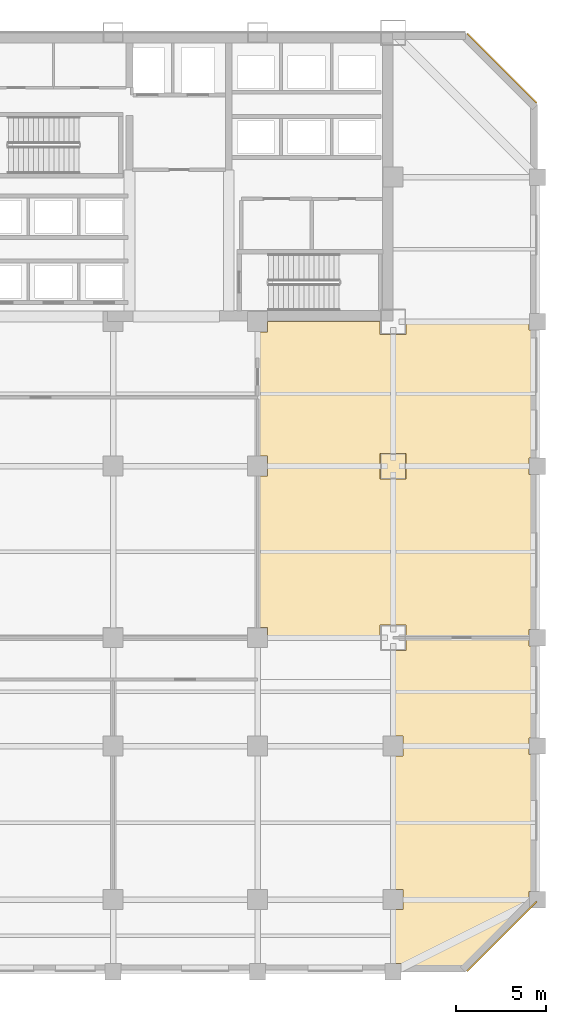
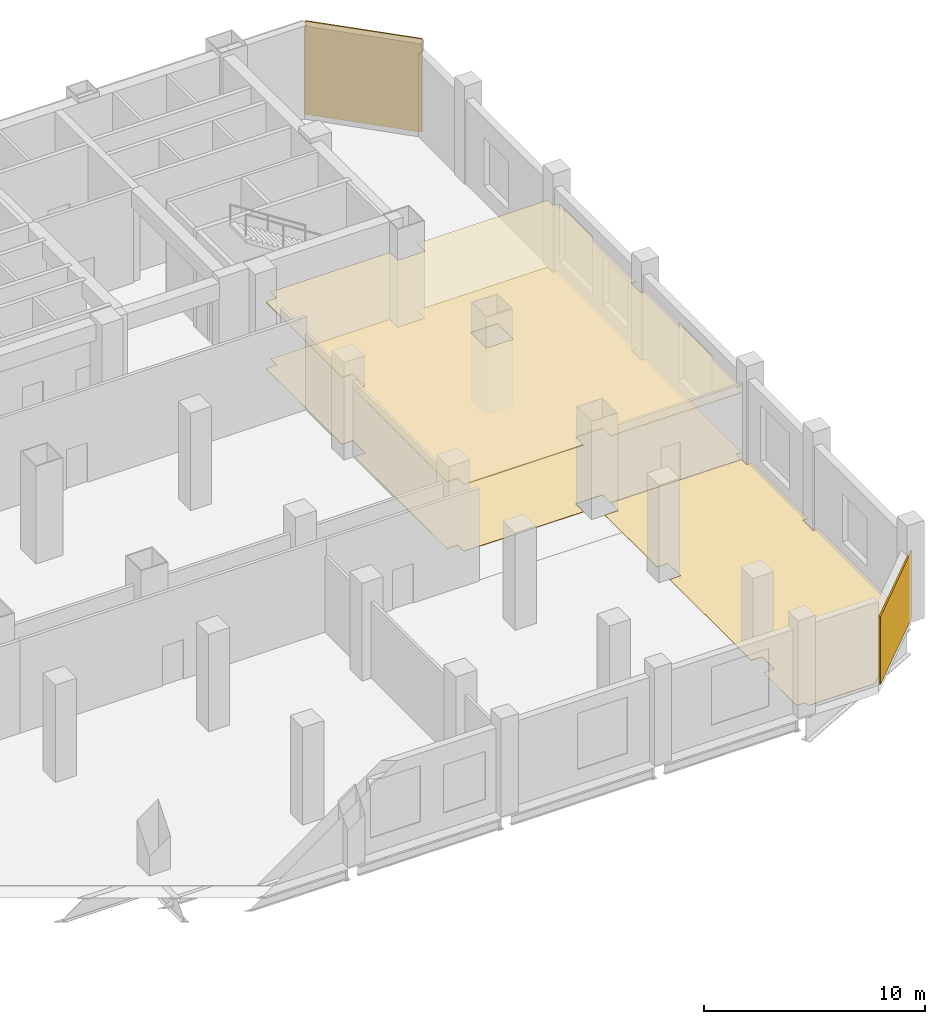
# One storey, part 10 of 10: 5 coverings.
"""IFC4 building model written with IfcOpenShell, lengths in metres."""

import ifcopenshell
import ifcopenshell.guid

model = None  # the IFC model being written
_history = None  # IfcOwnerHistory: only IFC2X3 demands one
_inside = {}  # id of a spatial element -> (the spatial element, [elements in it])
_under = {}  # id of a project, library or spatial element -> (it, [spatial elements below it])
_declared = {}  # id of a project -> (the project, [libraries it declares])
_typed = {}  # id of a type object -> (the type object, [elements of that type])
_made_of = {}  # id of a material, layer set ... -> (it, [elements and type objects made of it])


def new_model(schema):
    """Start an empty IFC model of exactly this schema.

    Asked for "IFC4X3", IfcOpenShell would pick the latest addendum, in which some entities
    have other attributes; the version numbers below select the first issue.
    IFC2X3 requires an IfcOwnerHistory on every rooted entity: one is made here for all.
    """
    global model, _history
    if schema == "IFC4X3":
        model = ifcopenshell.file(schema_version=(4, 3, 0, 0))
    else:
        model = ifcopenshell.file(schema=schema)
    _inside.clear()
    _under.clear()
    _declared.clear()
    _typed.clear()
    _made_of.clear()
    _history = None
    if model.schema == "IFC2X3":
        org = make("IfcOrganization", Name="unknown")
        user = make(
            "IfcPersonAndOrganization",
            ThePerson=make("IfcPerson", FamilyName="unknown"),
            TheOrganization=org,
        )
        app = make(
            "IfcApplication",
            ApplicationDeveloper=org,
            Version="unknown",
            ApplicationFullName="unknown",
            ApplicationIdentifier="unknown",
        )
        _history = make(
            "IfcOwnerHistory",
            OwningUser=user,
            OwningApplication=app,
            ChangeAction="ADDED",
            CreationDate=0,
        )
    return model


def make(cls, **values):
    """One entity of the class cls with the attributes given. An attribute that is None is left unset."""
    return model.create_entity(
        cls, **{name: value for name, value in values.items() if value is not None}
    )


def rooted(cls, **values):
    """An entity with a GlobalId (a new one), such as an element, a storey or a relation."""
    return make(cls, GlobalId=ifcopenshell.guid.new(), OwnerHistory=_history, **values)


def si_unit(unit_type, name, prefix=None):
    """IfcSIUnit, for example si_unit("LENGTHUNIT", "METRE", prefix="MILLI")."""
    return make("IfcSIUnit", UnitType=unit_type, Prefix=prefix, Name=name)


def assignment(units):
    """IfcUnitAssignment: the units of a project."""
    return None if units is None else make("IfcUnitAssignment", Units=units)


def point(xyz):
    """IfcCartesianPoint."""
    return None if xyz is None else make("IfcCartesianPoint", Coordinates=xyz)


def direction(xyz):
    """IfcDirection."""
    return None if xyz is None else make("IfcDirection", DirectionRatios=xyz)


def frame(location, z_axis=None, x_axis=None):
    """IfcAxis2Placement3D, a coordinate frame: its origin and axes. An axis left out is left unset."""
    return make(
        "IfcAxis2Placement3D",
        Location=point(location),
        Axis=direction(z_axis),
        RefDirection=direction(x_axis),
    )


def frame_2d(location, x_axis=None):
    """IfcAxis2Placement2D, a coordinate frame in the plane: its origin and x axis."""
    return make(
        "IfcAxis2Placement2D", Location=point(location), RefDirection=direction(x_axis)
    )


def origin():
    """The frame at (0, 0, 0) with its axes left unset."""
    return frame((0.0, 0.0, 0.0))


def origin_2d():
    """The frame at (0, 0) in the plane with its x axis left unset."""
    return frame_2d((0.0, 0.0))


def place(relative_to, where):
    """IfcLocalPlacement: puts the frame where relative to a parent placement (None: the world)."""
    return make(
        "IfcLocalPlacement", PlacementRelTo=relative_to, RelativePlacement=where
    )


def context(
    kind, dimensions, precision=None, world=None, true_north=None, identifier=None
):
    """IfcGeometricRepresentationContext, for example the 3D "Model" context."""
    return make(
        "IfcGeometricRepresentationContext",
        ContextIdentifier=identifier,
        ContextType=kind,
        CoordinateSpaceDimension=dimensions,
        Precision=precision,
        WorldCoordinateSystem=world,
        TrueNorth=true_north,
    )


def subcontext(parent, identifier, kind, view, scale=None):
    """IfcGeometricRepresentationSubContext, for example "Body" below "Model"."""
    return make(
        "IfcGeometricRepresentationSubContext",
        ContextIdentifier=identifier,
        ContextType=kind,
        ParentContext=parent,
        TargetScale=scale,
        TargetView=view,
    )


def project(units=None, contexts=None):
    """IfcProject with its units and contexts."""
    return rooted(
        "IfcProject",
        Name="project",
        RepresentationContexts=contexts,
        UnitsInContext=assignment(units),
    )


def spatial(cls, under=None, at=None, **own):
    """A site, building, storey or space (cls), placed at a placement, below another one or the project."""
    s = rooted(cls, ObjectPlacement=at, **own)
    if under is not None:
        _under.setdefault(under.id(), (under, []))[1].append(s)
    return s


def polyline(points):
    """IfcPolyline through the points."""
    return make("IfcPolyline", Points=[point(p) for p in points])


def profile(cls, at=None, kind="AREA", **sizes):
    """A parametric profile (cls). Its sizes go by their IFC names, for example OverallWidth=200.0."""
    return make(cls, ProfileType=kind, Position=at, **sizes)


def rectangle(**sizes):
    """IfcRectangleProfileDef."""
    return profile("IfcRectangleProfileDef", **sizes)


def outline(outer, holes=None, kind="AREA"):
    """IfcArbitraryClosedProfileDef: a profile drawn as a closed curve; with holes, ...WithVoids."""
    if holes is None:
        return make("IfcArbitraryClosedProfileDef", ProfileType=kind, OuterCurve=outer)
    return make(
        "IfcArbitraryProfileDefWithVoids",
        ProfileType=kind,
        OuterCurve=outer,
        InnerCurves=holes,
    )


def extrude(swept, where, along, depth):
    """IfcExtrudedAreaSolid: the profile swept, set in the frame where, extruded along a direction by depth."""
    return make(
        "IfcExtrudedAreaSolid",
        SweptArea=swept,
        Position=where,
        ExtrudedDirection=direction(along),
        Depth=depth,
    )


def shape(context_of_items, identifier, shape_type, items):
    """IfcShapeRepresentation: the items that make up one representation, for example the "Body"."""
    return make(
        "IfcShapeRepresentation",
        ContextOfItems=context_of_items,
        RepresentationIdentifier=identifier,
        RepresentationType=shape_type,
        Items=items,
    )


def material(Name=None, Category=None):
    """IfcMaterial."""
    return make("IfcMaterial", Name=Name, Category=Category)


def layer(
    of_material, thickness, ventilated=None, Name=None, Category=None, Priority=None
):
    """IfcMaterialLayer: one layer of a wall or slab, of a material (None: an air gap)."""
    return make(
        "IfcMaterialLayer",
        Material=of_material,
        LayerThickness=thickness,
        IsVentilated=ventilated,
        Name=Name,
        Category=Category,
        Priority=Priority,
    )


def layer_set(layers, Name=None):
    """IfcMaterialLayerSet."""
    return make("IfcMaterialLayerSet", MaterialLayers=layers, LayerSetName=Name)


def made_of(thing, what):
    """Note that an element or type object is made of a material, layer set ...; save() writes the relation."""
    if what is not None:
        _made_of.setdefault(what.id(), (what, []))[1].append(thing)
    return thing


def type_object(cls, material=None, **own):
    """A type object (cls), such as IfcWallType, which elements share."""
    return made_of(rooted(cls, **own), material)


def element(
    cls,
    number,
    at=None,
    inside=None,
    cuts=None,
    type_object=None,
    material=None,
    context=None,
    identifier="Body",
    shape_type=None,
    held_by="IfcProductDefinitionShape",
    body=None,
    shapes=None,
    **own,
):
    """One element of the class cls, such as IfcWall. Its Tag is "e" and its number.

    at: its placement. inside: the storey or other place that contains it. cuts: it is an
    opening in that element (IfcRelVoidsElement). A single representation is given by context,
    identifier, shape_type and body (its items); several are given by shapes. held_by: the class
    of the entity that holds the representations. save() writes the other relations.
    """
    e = rooted(cls, Tag="e%d" % number, ObjectPlacement=at, **own)
    if body is not None:
        shapes = [shape(context, identifier, shape_type, body)]
    if shapes is not None:
        e.Representation = make(held_by, Representations=shapes)
    if inside is not None:
        _inside.setdefault(inside.id(), (inside, []))[1].append(e)
    if cuts is not None:
        rooted(
            "IfcRelVoidsElement", RelatingBuildingElement=cuts, RelatedOpeningElement=e
        )
    if type_object is not None:
        _typed.setdefault(type_object.id(), (type_object, []))[1].append(e)
    return made_of(e, material)


def aggregate(whole, parts):
    """IfcRelAggregates: a whole, such as a stair, and the parts it consists of."""
    return rooted("IfcRelAggregates", RelatingObject=whole, RelatedObjects=parts)


def save(model, path):
    """Write the relations noted so far, then the file.

    IfcRelAggregates (storeys below a building ...), IfcRelContainedInSpatialStructure (elements
    in a storey), IfcRelDefinesByType, IfcRelAssociatesMaterial and IfcRelDeclares: one each for
    every whole, place, type object, material and project.
    """
    for whole, parts in _under.values():
        aggregate(whole, parts)
    for where, things in _inside.values():
        rooted(
            "IfcRelContainedInSpatialStructure",
            RelatedElements=things,
            RelatingStructure=where,
        )
    for kind, things in _typed.values():
        rooted("IfcRelDefinesByType", RelatedObjects=things, RelatingType=kind)
    for what, things in _made_of.values():
        rooted("IfcRelAssociatesMaterial", RelatedObjects=things, RelatingMaterial=what)
    for by, libraries in _declared.values():
        rooted("IfcRelDeclares", RelatingContext=by, RelatedDefinitions=libraries)
    model.write(path)


model = new_model("IFC4")

# Units and contexts
model_context = context("Model", 3, precision=1e-05, world=origin(), true_north=direction((0.0, 1.0)))
body_context = subcontext(model_context, "Body", "Model", "MODEL_VIEW")
ifc_project = project(units=[si_unit("LENGTHUNIT", "METRE"), si_unit("AREAUNIT", "SQUARE_METRE"), si_unit("VOLUMEUNIT", "CUBIC_METRE"), si_unit("PLANEANGLEUNIT", "RADIAN"), si_unit("MASSUNIT", "GRAM", prefix="KILO")], contexts=[model_context])

# Site, building, storey
site_placement = place(None, origin())
site = spatial("IfcSite", under=ifc_project, at=site_placement, CompositionType="ELEMENT")
building_placement = place(site_placement, origin())
building = spatial("IfcBuilding", under=site, at=building_placement, Name="Qianrong Seaharbour Tower", CompositionType="ELEMENT")
storey_placement = place(building_placement, frame((0.0, 0.0, 17.39990234375)))
storey = spatial("IfcBuildingStorey", under=building, at=storey_placement, Name="L04", CompositionType="ELEMENT", Elevation=17.39990234375)

# Coverings
ifc_material_1 = material(Name="Perforated acoustic gypsum ceiling board")
ifc_layer_1 = layer(ifc_material_1, 0.050048828125)
ifc_layer_set_1 = layer_set([ifc_layer_1], Name="Perforated acoustic gypsum ceiling board")
covering_type_1 = type_object("IfcCoveringType", Name="COV-CEIL-GYPSUM-50", PredefinedType="CEILING", material=ifc_layer_set_1)
covering_1_placement = place(storey_placement, frame((0.0, 0.0, 3.670166015625)))
element("IfcCovering", 1, at=covering_1_placement, inside=storey, type_object=covering_type_1, Name="L04 Project Library Acoustic Ceiling", PredefinedType="CEILING", context=body_context, shape_type="SweptSolid", body=[
    extrude(outline(polyline([(63.2900390625, 36.0), (63.2900390625, 35.2900390625), (64.7099609375, 35.2900390625), (64.7099609375, 36.0), (71.5400390625, 36.0), (71.5400390625, 35.5400390625), (71.81494140625, 35.5400390625), (71.81494140625, 28.4599609375), (71.5400390625, 28.4599609375), (71.5400390625, 27.5400390625), (71.81494140625, 27.5400390625), (71.81494140625, 18.9599609375), (71.5400390625, 18.9599609375), (71.5400390625, 18.5), (64.7099609375, 18.5), (64.7099609375, 19.2099609375), (63.2900390625, 19.2099609375), (63.2900390625, 18.5), (57.06005859375, 18.5), (57.06005859375, 19.06005859375), (56.5, 19.06005859375), (56.5, 27.43994140625), (57.06005859375, 27.43994140625), (57.06005859375, 28.56005859375), (56.5, 28.56005859375), (56.5, 35.43994140625), (57.06005859375, 35.43994140625), (57.06005859375, 36.0), (63.2900390625, 36.0)]), holes=[polyline([(63.2900390625, 28.7099609375), (63.2900390625, 27.2900390625), (64.7099609375, 27.2900390625), (64.7099609375, 28.7099609375), (63.2900390625, 28.7099609375)])]), origin(), (0.0, 0.0, 1.0), 0.050048828125),
])
ifc_material_2 = material(Name="Unitised red brick cladding on Precast concrete C45/55", Category="masonry")
ifc_layer_2 = layer(ifc_material_2, 0.080078125)
ifc_layer_set_2 = layer_set([ifc_layer_2], Name="Unitised red brick cladding on Precast concrete C45/55")
covering_type_2 = type_object("IfcCoveringType", Name="COV-CLAD-RED-BRICK-80", PredefinedType="CLADDING", material=ifc_layer_set_2)
covering_2_placement = place(storey_placement, frame((70.0283203125, 50.0283203125, 0.0), z_axis=(0.0, 0.0, 1.0), x_axis=(0.707106781187, -0.707106781187, 0.0)))
element("IfcCovering", 2, at=covering_2_placement, inside=storey, type_object=covering_type_2, Name="L04 Chamfer Corner Brick Cladding 03", PredefinedType="CLADDING", context=body_context, shape_type="SweptSolid", body=[
    extrude(rectangle(XDim=5.456787109375, YDim=0.080078125, at=origin_2d()), origin(), (0.0, 0.0, 1.0), 5.139892578125),
])
covering_3_placement = place(storey_placement, frame((70.0283203125, 1.9716796875, 0.0), z_axis=(0.0, 0.0, 1.0), x_axis=(-0.707106781187, -0.707106781187, 0.0)))
element("IfcCovering", 3, at=covering_3_placement, inside=storey, type_object=covering_type_2, Name="L04 Chamfer Corner Brick Cladding 05", PredefinedType="CLADDING", context=body_context, shape_type="SweptSolid", body=[
    extrude(rectangle(XDim=5.456787109375, YDim=0.080078125, at=origin_2d()), origin(), (0.0, 0.0, 1.0), 3.739990234375),
])
ifc_material_3 = material(Name="Acoustic modular carpet tile flooring")
ifc_layer_3 = layer(ifc_material_3, 0.02001953125)
ifc_layer_set_3 = layer_set([ifc_layer_3], Name="Acoustic modular carpet tile flooring")
covering_type_3 = type_object("IfcCoveringType", Name="COV-FLOOR-CARPET-20", PredefinedType="FLOORING", material=ifc_layer_set_3)
covering_4_placement = place(storey_placement, origin())
element("IfcCovering", 4, at=covering_4_placement, inside=storey, type_object=covering_type_3, Name="L04 Project Library Finish Flooring", PredefinedType="FLOORING", context=body_context, shape_type="SweptSolid", body=[
    extrude(outline(polyline([(63.2900390625, 36.0), (63.2900390625, 35.2900390625), (64.7099609375, 35.2900390625), (64.7099609375, 36.0), (71.5400390625, 36.0), (71.5400390625, 35.5400390625), (71.81494140625, 35.5400390625), (71.81494140625, 28.4599609375), (71.5400390625, 28.4599609375), (71.5400390625, 27.5400390625), (71.81494140625, 27.5400390625), (71.81494140625, 18.9599609375), (71.5400390625, 18.9599609375), (71.5400390625, 18.5), (64.7099609375, 18.5), (64.7099609375, 19.2099609375), (63.2900390625, 19.2099609375), (63.2900390625, 18.5), (57.06005859375, 18.5), (57.06005859375, 19.06005859375), (56.5, 19.06005859375), (56.5, 27.43994140625), (57.06005859375, 27.43994140625), (57.06005859375, 28.56005859375), (56.5, 28.56005859375), (56.5, 35.43994140625), (57.06005859375, 35.43994140625), (57.06005859375, 36.0), (63.2900390625, 36.0)])), origin(), (0.0, 0.0, 1.0), 0.02001953125),
])
covering_5_placement = place(storey_placement, origin())
element("IfcCovering", 5, at=covering_5_placement, inside=storey, type_object=covering_type_3, Name="L04 Wet Pantry Finish Flooring", PredefinedType="FLOORING", context=body_context, shape_type="SweptSolid", body=[
    extrude(outline(polyline([(71.81494140625, 12.9599609375), (71.5400390625, 12.9599609375), (71.5400390625, 12.0400390625), (71.81494140625, 12.0400390625), (71.81494140625, 4.4599609375), (71.5400390625, 4.4599609375), (71.5400390625, 3.801513671875), (67.92333984375, 0.18505859375), (64.4599609375, 0.18505859375), (64.4599609375, 0.4599609375), (64.0, 0.4599609375), (64.0, 3.43994140625), (64.56005859375, 3.43994140625), (64.56005859375, 4.56005859375), (64.0, 4.56005859375), (64.0, 11.93994140625), (64.56005859375, 11.93994140625), (64.56005859375, 13.06005859375), (64.0, 13.06005859375), (64.0, 17.7900390625), (64.7099609375, 17.7900390625), (64.7099609375, 18.5), (71.5400390625, 18.5), (71.5400390625, 18.0400390625), (71.81494140625, 18.0400390625), (71.81494140625, 12.9599609375)])), origin(), (0.0, 0.0, 1.0), 0.02001953125),
])

save(model, "model.ifc")
